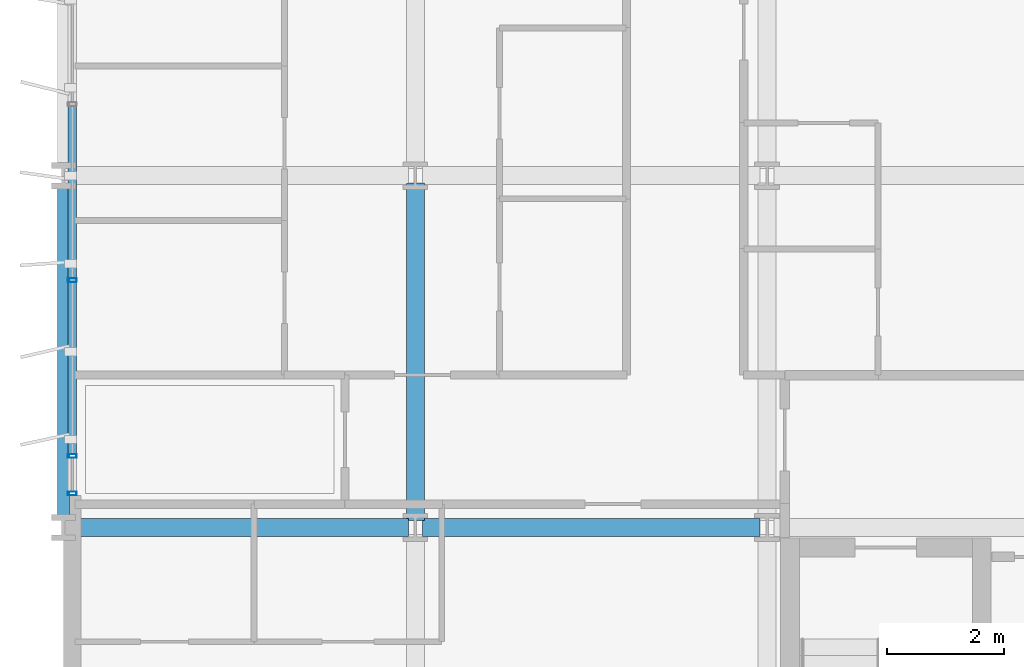
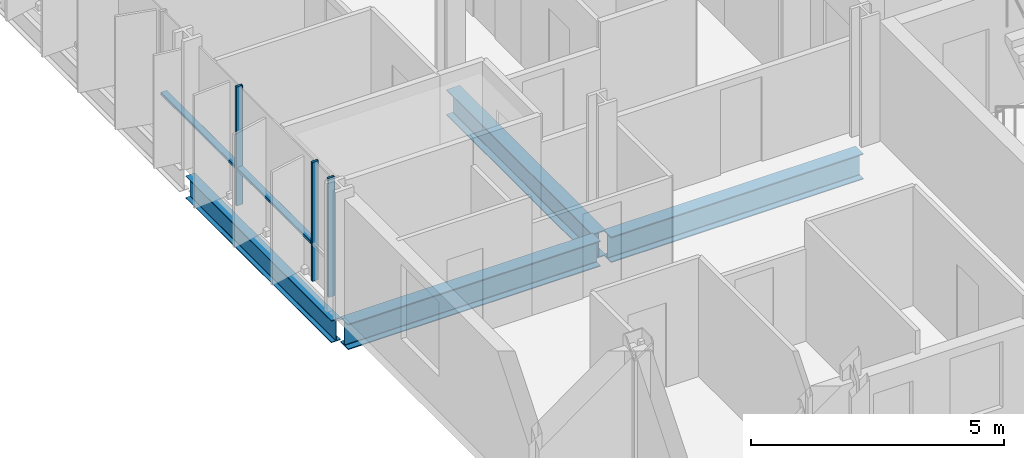
# One storey, part 2 of 38: 5 members, 4 beams, 1 element without a shape of its own.
"""IFC4 building model written with IfcOpenShell, lengths in metres."""

from ifc_helpers import new_model, si_unit, direction, frame, origin, origin_2d, place, context, subcontext, project, spatial, hollow_rectangle, i_section, extrude, material, layer, layer_set, material_profile, profile_set, type_object, element, aggregate, save


model = new_model("IFC4")

# Units and contexts
model_context = context("Model", 3, precision=1e-05, world=origin(), true_north=direction((0.0, 1.0)))
body_context = subcontext(model_context, "Body", "Model", "MODEL_VIEW")
ifc_project = project(units=[si_unit("LENGTHUNIT", "METRE"), si_unit("AREAUNIT", "SQUARE_METRE"), si_unit("VOLUMEUNIT", "CUBIC_METRE"), si_unit("PLANEANGLEUNIT", "RADIAN"), si_unit("MASSUNIT", "GRAM", prefix="KILO")], contexts=[model_context])

# Site, building, storey
site_placement = place(None, origin())
site = spatial("IfcSite", under=ifc_project, at=site_placement, CompositionType="ELEMENT")
building_placement = place(site_placement, origin())
building = spatial("IfcBuilding", under=site, at=building_placement, Name="Brevholm Reach", CompositionType="ELEMENT")
storey_placement = place(building_placement, frame((0.0, 0.0, 46.60009765625)))
storey = spatial("IfcBuildingStorey", under=building, at=storey_placement, Name="L12", CompositionType="ELEMENT", Elevation=46.60009765625)

# Beams
ifc_material_1 = material(Name="Structural Steel S355J2", Category="steel")
ifc_material_profile_1 = material_profile(ifc_material_1, i_section(OverallWidth=0.210693359375, OverallDepth=0.53955078125, WebThickness=0.01171875, FlangeThickness=0.018798828125, FilletRadius=0.0126953125, at=origin_2d()), Name="UKB 533x210x109")
ifc_profile_set_1 = profile_set([ifc_material_profile_1], Name="Structural Steel S355J2")
beam_type_1 = type_object("IfcBeamType", Name="BM-SP539", PredefinedType="SPANDREL", material=ifc_profile_set_1)
beam_placement = place(storey_placement, frame((0.0, 10.1201171875, -0.499755859375), z_axis=(0.0, 1.0, 0.0), x_axis=(-1.0, 0.0, 0.0)))
element("IfcBeam", 1, at=beam_placement, inside=storey, type_object=beam_type_1, Name="L12 SP-01B Framing Beam", PredefinedType="SPANDREL", context=body_context, shape_type="SweptSolid", body=[
    extrude(i_section(OverallWidth=0.210693359375, OverallDepth=0.53955078125, WebThickness=0.01171875, FlangeThickness=0.018798828125, FilletRadius=0.0126953125, at=origin_2d()), origin(), (0.0, 0.0, 1.0), 5.759765625),
])
ifc_material_2 = material(Name="Structural Steel S355J2", Category="steel")
ifc_material_profile_2 = material_profile(ifc_material_2, i_section(OverallWidth=0.30712890625, OverallDepth=0.6201171875, WebThickness=0.01416015625, FlangeThickness=0.023681640625, FilletRadius=0.0166015625, at=origin_2d()), Name="UKB 610x305x179")
ifc_profile_set_2 = profile_set([ifc_material_profile_2], Name="Structural Steel S355J2")
beam_type_2 = type_object("IfcBeamType", Name="BM-UKB610H", PredefinedType="USERDEFINED", material=ifc_profile_set_2)
for number, where, z_axis, x_axis, name in (
    (2, (0.1201171875, 10.0, -0.540283203125), (1.0, 0.0, 0.0), (0.0, 1.0, 0.0), "L12 G-06 Framing Beam"),
    (3, (6.1201171875, 10.0, -0.540283203125), (1.0, 0.0, 0.0), (0.0, 1.0, 0.0), "L12 G-06 Framing Beam"),
    (4, (6.0, 10.1201171875, -0.540283203125), (0.0, 1.0, 0.0), (-1.0, 0.0, 0.0), "L12 G-06 Framing Beam"),
):
    element("IfcBeam", number, at=place(storey_placement, frame(where, z_axis=z_axis, x_axis=x_axis)), inside=storey, type_object=beam_type_2, Name=name, ObjectType="GIRDER", PredefinedType="USERDEFINED", context=body_context, shape_type="SweptSolid", body=[
        extrude(i_section(OverallWidth=0.30712890625, OverallDepth=0.6201171875, WebThickness=0.01416015625, FlangeThickness=0.023681640625, FilletRadius=0.0166015625, at=origin_2d()), origin(), (0.0, 0.0, 1.0), 5.759765625),
    ])

# Curtain wall, members
ifc_material_3 = material(Name="Dark Anodised Aluminium 6063-T6 and Solar-Control Glass", Category="aluminium")
ifc_layer = layer(ifc_material_3, 0.14990234375)
ifc_layer_set = layer_set([ifc_layer], Name="Dark Anodised Aluminium 6063-T6 and Solar-Control Glass")
curtain_wall_type = type_object("IfcCurtainWallType", Name="CW-01", PredefinedType="NOTDEFINED", material=ifc_layer_set)
curtain_wall_placement = place(storey_placement, origin())
curtain_wall = element("IfcCurtainWall", 5, at=curtain_wall_placement, inside=storey, type_object=curtain_wall_type, Name="L12 Curtain Wall CW-01", PredefinedType="NOTDEFINED")
ifc_material_4 = material(Name="Dark Anodised Aluminium 6063-T6", Category="aluminium")
ifc_material_profile_3 = material_profile(ifc_material_4, hollow_rectangle(XDim=0.06494140625, YDim=0.14990234375, WallThickness=0.0048828125, InnerFilletRadius=0.0048828125, OuterFilletRadius=0.010009765625, at=origin_2d()), Name="RHS 150x65x5")
ifc_profile_set_3 = profile_set([ifc_material_profile_3], Name="Dark Anodised Aluminium 6063-T6")
member_type_1 = type_object("IfcMemberType", Name="CWM-150", PredefinedType="MULLION", material=ifc_profile_set_3)
member_1_placement = place(storey_placement, frame((0.14990234375, 14.219970703125, 0.0), z_axis=(0.0, 0.0, 1.0), x_axis=(0.0, -1.0, 0.0)))
member_1 = element("IfcMember", 6, at=member_1_placement, type_object=member_type_1, Name="CM-150 Mullion 4", PredefinedType="MULLION", context=body_context, shape_type="SweptSolid", body=[
    extrude(hollow_rectangle(XDim=0.06494140625, YDim=0.14990234375, WallThickness=0.0048828125, InnerFilletRadius=0.0048828125, OuterFilletRadius=0.010009765625, at=origin_2d()), origin(), (0.0, 0.0, 1.0), 2.869873046875),
])
member_2_placement = place(storey_placement, frame((0.14990234375, 11.219970703125, 0.0), z_axis=(0.0, 0.0, 1.0), x_axis=(0.0, -1.0, 0.0)))
member_2 = element("IfcMember", 7, at=member_2_placement, type_object=member_type_1, Name="CM-150 Mullion 5", PredefinedType="MULLION", context=body_context, shape_type="SweptSolid", body=[
    extrude(hollow_rectangle(XDim=0.06494140625, YDim=0.14990234375, WallThickness=0.0048828125, InnerFilletRadius=0.0048828125, OuterFilletRadius=0.010009765625, at=origin_2d()), origin(), (0.0, 0.0, 1.0), 2.869873046875),
])
member_3_placement = place(storey_placement, frame((0.14990234375, 10.58251953125, 0.0), z_axis=(0.0, 0.0, 1.0), x_axis=(0.0, -1.0, 0.0)))
member_3 = element("IfcMember", 8, at=member_3_placement, type_object=member_type_1, Name="CM-150 Mullion 6", PredefinedType="MULLION", context=body_context, shape_type="SweptSolid", body=[
    extrude(hollow_rectangle(XDim=0.06494140625, YDim=0.14990234375, WallThickness=0.0048828125, InnerFilletRadius=0.0048828125, OuterFilletRadius=0.010009765625, at=origin_2d()), origin(), (0.0, 0.0, 1.0), 2.869873046875),
])
ifc_material_5 = material(Name="Dark Anodised Aluminium 6063-T6", Category="aluminium")
ifc_material_profile_4 = material_profile(ifc_material_5, hollow_rectangle(XDim=0.06494140625, YDim=0.14990234375, WallThickness=0.0048828125, InnerFilletRadius=0.0048828125, OuterFilletRadius=0.010009765625, at=origin_2d()), Name="RHS 150x65x5")
ifc_profile_set_4 = profile_set([ifc_material_profile_4], Name="Dark Anodised Aluminium 6063-T6")
member_type_2 = type_object("IfcMemberType", Name="CWT-150", PredefinedType="NOTDEFINED", material=ifc_profile_set_4)
member_4_placement = place(storey_placement, frame((0.14990234375, 17.1875, 0.89990234375), z_axis=(0.0, -1.0, 0.0), x_axis=(0.0, 0.0, 1.0)))
member_4 = element("IfcMember", 9, at=member_4_placement, type_object=member_type_2, Name="CT-150 Transom 3.1", ObjectType="TRANSOM", PredefinedType="USERDEFINED", context=body_context, shape_type="SweptSolid", body=[
    extrude(hollow_rectangle(XDim=0.06494140625, YDim=0.14990234375, WallThickness=0.0048828125, InnerFilletRadius=0.0048828125, OuterFilletRadius=0.010009765625, at=origin_2d()), origin(), (0.0, 0.0, 1.0), 2.93505859375),
])
member_5_placement = place(storey_placement, frame((0.14990234375, 14.1875, 0.89990234375), z_axis=(0.0, -1.0, 0.0), x_axis=(0.0, 0.0, 1.0)))
member_5 = element("IfcMember", 10, at=member_5_placement, type_object=member_type_2, Name="CT-150 Transom 4.1", ObjectType="TRANSOM", PredefinedType="USERDEFINED", context=body_context, shape_type="SweptSolid", body=[
    extrude(hollow_rectangle(XDim=0.06494140625, YDim=0.14990234375, WallThickness=0.0048828125, InnerFilletRadius=0.0048828125, OuterFilletRadius=0.010009765625, at=origin_2d()), origin(), (0.0, 0.0, 1.0), 2.93505859375),
])
aggregate(curtain_wall, [member_1, member_2, member_3, member_4, member_5])

save(model, "model.ifc")
